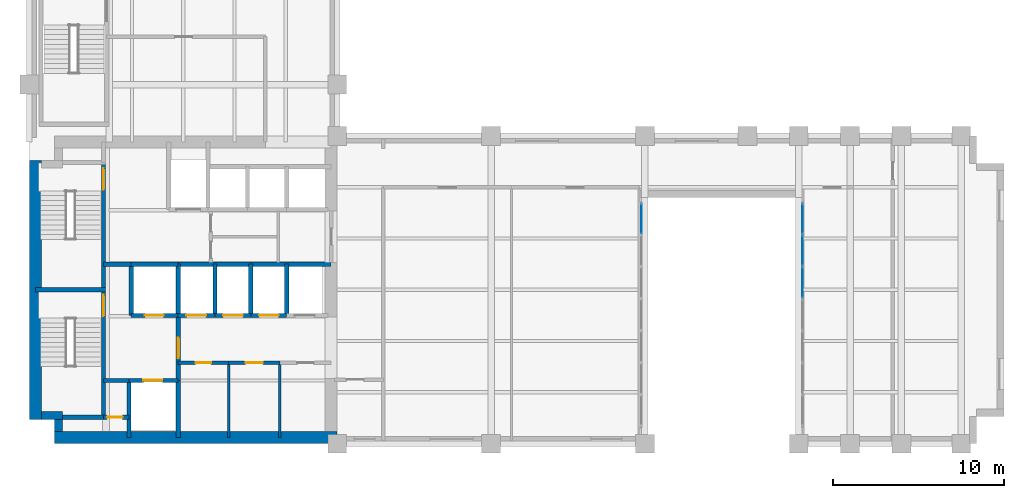
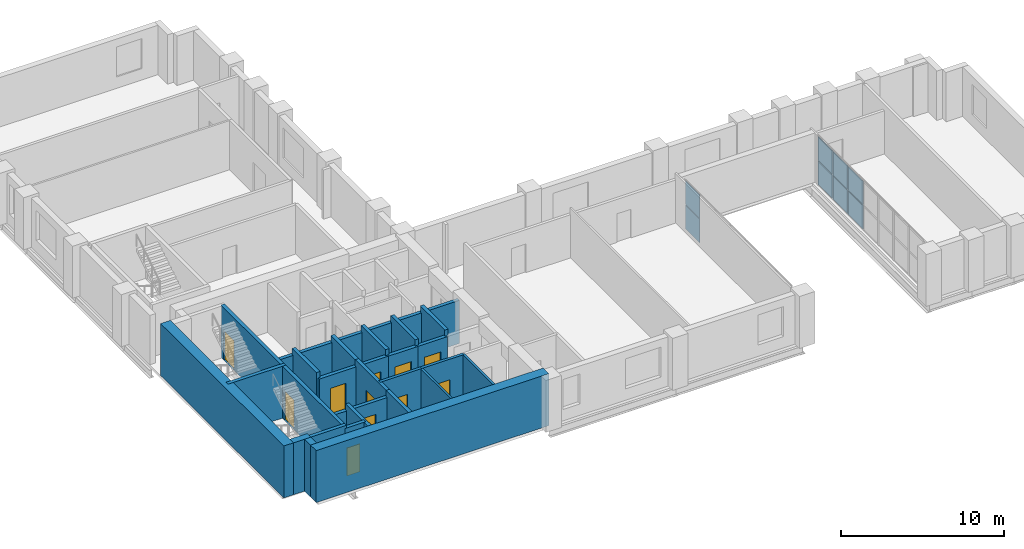
# One storey, part 6 of 10: 30 walls, 11 doors, 8 plates, 11 openings, 2 elements without a shape of their own.
"""IFC4 building model written with IfcOpenShell, lengths in metres."""

from ifc_helpers import new_model, si_unit, direction, frame, frame_2d, origin, origin_2d, place, context, subcontext, project, spatial, rectangle, extrude, material, layer, layer_set, type_object, element, fill, aggregate, save


model = new_model("IFC4")

# Units and contexts
model_context = context("Model", 3, precision=1e-05, world=origin(), true_north=direction((0.0, 1.0)))
body_context = subcontext(model_context, "Body", "Model", "MODEL_VIEW")
ifc_project = project(units=[si_unit("LENGTHUNIT", "METRE"), si_unit("AREAUNIT", "SQUARE_METRE"), si_unit("VOLUMEUNIT", "CUBIC_METRE"), si_unit("PLANEANGLEUNIT", "RADIAN"), si_unit("MASSUNIT", "GRAM", prefix="KILO")], contexts=[model_context])

# Site, building, storey
site_placement = place(None, origin())
site = spatial("IfcSite", under=ifc_project, at=site_placement, CompositionType="ELEMENT")
building_placement = place(site_placement, origin())
building = spatial("IfcBuilding", under=site, at=building_placement, Name="Mawjdan Bourse Tower", CompositionType="ELEMENT")
storey_placement = place(building_placement, frame((0.0, 0.0, 124.5)))
storey = spatial("IfcBuildingStorey", under=building, at=storey_placement, Name="L29", CompositionType="ELEMENT", Elevation=124.5)

# Curtain wall, plates
ifc_material_1 = material(Name="Thermally Broken Aluminium and Solar Glass", Category="aluminium")
ifc_layer_1 = layer(ifc_material_1, 0.219970703125)
ifc_layer_set_1 = layer_set([ifc_layer_1], Name="Thermally Broken Aluminium and Solar Glass")
curtain_wall_type = type_object("IfcCurtainWallType", Name="CW-POR", PredefinedType="USERDEFINED", material=ifc_layer_set_1)
curtain_wall_1_placement = place(storey_placement, origin())
curtain_wall_1 = element("IfcCurtainWall", 1, at=curtain_wall_1_placement, inside=storey, type_object=curtain_wall_type, Name="L29 East Void Portal Glazed Cheek 1", ObjectType="VOID PORTAL CURTAIN WALL", PredefinedType="USERDEFINED")
ifc_material_2 = material(Name="Wind-Rated Portal Clear Glass", Category="glass")
ifc_layer_2 = layer(ifc_material_2, 0.0400390625)
ifc_layer_set_2 = layer_set([ifc_layer_2], Name="Wind-Rated Portal Clear Glass")
plate_type = type_object("IfcPlateType", Name="PNL-CW-POR", PredefinedType="CURTAIN_PANEL", material=ifc_layer_set_2)
plate_1_placement = place(storey_placement, frame((41.7900390625, 16.146728515625, 0.054931640625), z_axis=(0.0, 0.0, 1.0), x_axis=(0.0, 1.0, 0.0)))
plate_1 = element("IfcPlate", 2, at=plate_1_placement, type_object=plate_type, Name="CW-POR-L29-POR-E1 panel 7.1", PredefinedType="CURTAIN_PANEL", context=body_context, shape_type="SweptSolid", body=[
    extrude(rectangle(XDim=1.766357421875, YDim=0.0400390625, at=origin_2d()), origin(), (0.0, 0.0, 1.0), 1.767578125),
])
plate_2_placement = place(storey_placement, frame((41.7900390625, 16.146728515625, 1.87744140625), z_axis=(0.0, 0.0, 1.0), x_axis=(0.0, 1.0, 0.0)))
plate_2 = element("IfcPlate", 3, at=plate_2_placement, type_object=plate_type, Name="CW-POR-L29-POR-E1 panel 7.2", PredefinedType="CURTAIN_PANEL", context=body_context, shape_type="SweptSolid", body=[
    extrude(rectangle(XDim=1.766357421875, YDim=0.0400390625, at=origin_2d()), origin(), (0.0, 0.0, 1.0), 1.767578125),
])
aggregate(curtain_wall_1, [plate_1, plate_2])

curtain_wall_2_placement = place(storey_placement, origin())
curtain_wall_2 = element("IfcCurtainWall", 4, at=curtain_wall_2_placement, inside=storey, type_object=curtain_wall_type, Name="L29 East Void Portal Glazed Cheek 3", ObjectType="VOID PORTAL CURTAIN WALL", PredefinedType="USERDEFINED")
plate_3_placement = place(storey_placement, frame((51.2099609375, 16.146728515625, 0.054931640625), z_axis=(0.0, 0.0, 1.0), x_axis=(0.0, -1.0, 0.0)))
plate_3 = element("IfcPlate", 5, at=plate_3_placement, type_object=plate_type, Name="CW-POR-L29-POR-E3 panel 1.1", PredefinedType="CURTAIN_PANEL", context=body_context, shape_type="SweptSolid", body=[
    extrude(rectangle(XDim=1.766357421875, YDim=0.0400390625, at=origin_2d()), origin(), (0.0, 0.0, 1.0), 1.767578125),
])
plate_4_placement = place(storey_placement, frame((51.2099609375, 16.146728515625, 1.87744140625), z_axis=(0.0, 0.0, 1.0), x_axis=(0.0, -1.0, 0.0)))
plate_4 = element("IfcPlate", 6, at=plate_4_placement, type_object=plate_type, Name="CW-POR-L29-POR-E3 panel 1.2", PredefinedType="CURTAIN_PANEL", context=body_context, shape_type="SweptSolid", body=[
    extrude(rectangle(XDim=1.766357421875, YDim=0.0400390625, at=origin_2d()), origin(), (0.0, 0.0, 1.0), 1.767578125),
])
plate_5_placement = place(storey_placement, frame((51.2099609375, 14.29296875, 0.054931640625), z_axis=(0.0, 0.0, 1.0), x_axis=(0.0, -1.0, 0.0)))
plate_5 = element("IfcPlate", 7, at=plate_5_placement, type_object=plate_type, Name="CW-POR-L29-POR-E3 panel 2.1", PredefinedType="CURTAIN_PANEL", context=body_context, shape_type="SweptSolid", body=[
    extrude(rectangle(XDim=1.801513671875, YDim=0.0400390625, at=origin_2d()), origin(), (0.0, 0.0, 1.0), 1.767578125),
])
plate_6_placement = place(storey_placement, frame((51.2099609375, 14.29296875, 1.87744140625), z_axis=(0.0, 0.0, 1.0), x_axis=(0.0, -1.0, 0.0)))
plate_6 = element("IfcPlate", 8, at=plate_6_placement, type_object=plate_type, Name="CW-POR-L29-POR-E3 panel 2.2", PredefinedType="CURTAIN_PANEL", context=body_context, shape_type="SweptSolid", body=[
    extrude(rectangle(XDim=1.801513671875, YDim=0.0400390625, at=origin_2d()), origin(), (0.0, 0.0, 1.0), 1.767578125),
])
plate_7_placement = place(storey_placement, frame((51.2099609375, 12.42138671875, 0.054931640625), z_axis=(0.0, 0.0, 1.0), x_axis=(0.0, -1.0, 0.0)))
plate_7 = element("IfcPlate", 9, at=plate_7_placement, type_object=plate_type, Name="CW-POR-L29-POR-E3 panel 3.1", PredefinedType="CURTAIN_PANEL", context=body_context, shape_type="SweptSolid", body=[
    extrude(rectangle(XDim=1.801513671875, YDim=0.0400390625, at=origin_2d()), origin(), (0.0, 0.0, 1.0), 1.767578125),
])
plate_8_placement = place(storey_placement, frame((51.2099609375, 12.42138671875, 1.87744140625), z_axis=(0.0, 0.0, 1.0), x_axis=(0.0, -1.0, 0.0)))
plate_8 = element("IfcPlate", 10, at=plate_8_placement, type_object=plate_type, Name="CW-POR-L29-POR-E3 panel 3.2", PredefinedType="CURTAIN_PANEL", context=body_context, shape_type="SweptSolid", body=[
    extrude(rectangle(XDim=1.801513671875, YDim=0.0400390625, at=origin_2d()), origin(), (0.0, 0.0, 1.0), 1.767578125),
])
aggregate(curtain_wall_2, [plate_3, plate_4, plate_5, plate_6, plate_7, plate_8])

# Wall, opening, door
ifc_material_3 = material(Name="Gypsum Fireboard Assembly")
ifc_layer_3 = layer(ifc_material_3, 0.199951171875)
ifc_layer_set_3 = layer_set([ifc_layer_3], Name="Gypsum Fireboard Assembly")
wall_type_1 = type_object("IfcWallType", Name="WL-CMP-200", PredefinedType="PARTITIONING", material=ifc_layer_set_3)
wall_1_placement = place(storey_placement, frame((14.699951171875, 7.739990234375, 0.0), z_axis=(0.0, 0.0, 1.0), x_axis=(1.0, 0.0, 0.0)))
wall_1 = element("IfcWall", 11, at=wall_1_placement, inside=storey, type_object=wall_type_1, Name="L29 IT & Telemetry Room North Wall", PredefinedType="PARTITIONING", context=body_context, shape_type="SweptSolid", body=[
    extrude(rectangle(XDim=2.949951171875, YDim=0.199951171875, at=frame_2d((1.47509765625, 0.0))), origin(), (0.0, 0.0, 1.0), 3.68994140625),
])
opening_1_placement = place(wall_1_placement, frame((1.02490234375, 0.0, 0.0)))
opening_1 = element("IfcOpeningElement", 12, at=opening_1_placement, cuts=wall_1, Name="Opening D-L29-10", PredefinedType="OPENING", context=body_context, shape_type="SweptSolid", body=[
    extrude(rectangle(XDim=0.89990234375, YDim=2.10009765625, at=frame_2d((0.449951171875, 1.050048828125))), frame((0.0, 0.10986328125, 0.0), z_axis=(0.0, -1.0, 0.0), x_axis=(1.0, 0.0, 0.0)), (0.0, 0.0, 1.0), 0.219970703125),
])
ifc_material_4 = material(Name="Fire-Rated Steel Access Leaf", Category="steel")
door_type_1 = type_object("IfcDoorType", Name="FD-RSR-0900", OperationType="NOTDEFINED", PredefinedType="TRAPDOOR", material=ifc_material_4)
door_1_placement = place(opening_1_placement, origin())
door_1 = element("IfcDoor", 13, at=door_1_placement, inside=storey, type_object=door_type_1, Name="L29 IT & Telemetry Room Door D-L29-10", OperationType="SINGLE_SWING_RIGHT", OverallHeight=2.10009765625, OverallWidth=0.89990234375, PredefinedType="TRAPDOOR", context=body_context, shape_type="SweptSolid", body=[
    extrude(rectangle(XDim=0.89990234375, YDim=2.10009765625, at=frame_2d((0.449951171875, 1.050048828125))), frame((0.0, 0.02490234375, 0.0), z_axis=(0.0, -1.0, 0.0), x_axis=(1.0, 0.0, 0.0)), (0.0, 0.0, 1.0), 0.050048828125),
])
fill(opening_1, door_1)

wall_2_placement = place(storey_placement, frame((17.64990234375, 7.739990234375, 0.0), z_axis=(0.0, 0.0, 1.0), x_axis=(1.0, 0.0, 0.0)))
wall_2 = element("IfcWall", 14, at=wall_2_placement, inside=storey, type_object=wall_type_1, Name="L29 Mail & Courier Office North Wall", PredefinedType="PARTITIONING", context=body_context, shape_type="SweptSolid", body=[
    extrude(rectangle(XDim=3.0, YDim=0.199951171875, at=frame_2d((1.5, 0.0))), origin(), (0.0, 0.0, 1.0), 3.68994140625),
])
opening_2_placement = place(wall_2_placement, frame((1.0, 0.0, 0.0)))
opening_2 = element("IfcOpeningElement", 15, at=opening_2_placement, cuts=wall_2, Name="Opening D-L29-11", PredefinedType="OPENING", context=body_context, shape_type="SweptSolid", body=[
    extrude(rectangle(XDim=1.0, YDim=2.14990234375, at=frame_2d((0.5, 1.074951171875))), frame((0.0, 0.10986328125, 0.0), z_axis=(0.0, -1.0, 0.0), x_axis=(1.0, 0.0, 0.0)), (0.0, 0.0, 1.0), 0.219970703125),
])
ifc_material_5 = material(Name="Hardwood Acoustic Leaf", Category="wood")
door_type_2 = type_object("IfcDoorType", Name="DR-OFC-1000", OperationType="NOTDEFINED", PredefinedType="DOOR", material=ifc_material_5)
door_2_placement = place(opening_2_placement, origin())
door_2 = element("IfcDoor", 16, at=door_2_placement, inside=storey, type_object=door_type_2, Name="L29 Mail & Courier Office Door D-L29-11", OperationType="SINGLE_SWING_LEFT", OverallHeight=2.14990234375, OverallWidth=1.0, PredefinedType="DOOR", context=body_context, shape_type="SweptSolid", body=[
    extrude(rectangle(XDim=1.0, YDim=2.14990234375, at=frame_2d((0.5, 1.074951171875))), frame((0.0, 0.02490234375, 0.0), z_axis=(0.0, -1.0, 0.0), x_axis=(1.0, 0.0, 0.0)), (0.0, 0.0, 1.0), 0.050048828125),
])
fill(opening_2, door_2)

# Walls
ifc_material_6 = material(Name="Concrete C60/75", Category="concrete")
ifc_layer_4 = layer(ifc_material_6, 0.449951171875)
ifc_layer_set_4 = layer_set([ifc_layer_4], Name="Concrete C60/75")
wall_type_2 = type_object("IfcWallType", Name="WL-CORE-450", PredefinedType="SHEAR", material=ifc_layer_set_4)
wall_3_placement = place(storey_placement, frame((6.699951171875, 4.64990234375, 0.0), z_axis=(0.0, 0.0, 1.0), x_axis=(1.0, 0.0, 0.0)))
element("IfcWall", 17, at=wall_3_placement, inside=storey, type_object=wall_type_2, Name="L29 Rear Core Shear Wall SW-X", PredefinedType="SHEAR", context=body_context, shape_type="SweptSolid", body=[
    extrude(rectangle(XDim=1.22509765625, YDim=0.449951171875, at=frame_2d((0.612548828125, 0.0))), origin(), (0.0, 0.0, 1.0), 3.89990234375),
])
wall_4_placement = place(storey_placement, frame((7.699951171875, 3.699951171875, 0.0), z_axis=(0.0, 0.0, 1.0), x_axis=(0.0, 1.0, 0.0)))
element("IfcWall", 18, at=wall_4_placement, inside=storey, type_object=wall_type_2, Name="L29 Rear Core Shear Wall SW-Y", PredefinedType="SHEAR", context=body_context, shape_type="SweptSolid", body=[
    extrude(rectangle(XDim=0.72509765625, YDim=0.449951171875, at=frame_2d((0.362548828125, 0.0))), origin(), (0.0, 0.0, 1.0), 3.89990234375),
])
ifc_material_7 = material(Name="Concrete C70/85", Category="concrete")
ifc_layer_5 = layer(ifc_material_7, 0.699951171875)
ifc_layer_set_5 = layer_set([ifc_layer_5], Name="Concrete C70/85")
wall_type_3 = type_object("IfcWallType", Name="WL-CORE-700", PredefinedType="SHEAR", material=ifc_layer_set_5)
wall_5_placement = place(storey_placement, frame((7.47509765625, 3.35009765625, 0.0), z_axis=(0.0, 0.0, 1.0), x_axis=(1.0, 0.0, 0.0)))
element("IfcWall", 19, at=wall_5_placement, inside=storey, type_object=wall_type_3, Name="L29 Rear Core Shear Wall S", PredefinedType="SHEAR", context=body_context, shape_type="SweptSolid", body=[
    extrude(rectangle(XDim=16.52490234375, YDim=0.699951171875, at=frame_2d((8.262451171875, 0.0))), origin(), (0.0, 0.0, 1.0), 3.89990234375),
])
wall_6_placement = place(storey_placement, frame((6.35009765625, 4.425048828125, 0.0), z_axis=(0.0, 0.0, 1.0), x_axis=(0.0, 1.0, 0.0)))
element("IfcWall", 20, at=wall_6_placement, inside=storey, type_object=wall_type_3, Name="L29 Rear Core Shear Wall W", PredefinedType="SHEAR", context=body_context, shape_type="SweptSolid", body=[
    extrude(rectangle(XDim=15.14990234375, YDim=0.699951171875, at=frame_2d((7.574951171875, 0.0))), origin(), (0.0, 0.0, 1.0), 3.89990234375),
])
ifc_material_8 = material(Name="Gypsum Acoustic Partition")
ifc_layer_6 = layer(ifc_material_8, 0.14990234375)
ifc_layer_set_6 = layer_set([ifc_layer_6], Name="Gypsum Acoustic Partition")
wall_type_4 = type_object("IfcWallType", Name="WL-PRT-150", PredefinedType="PARTITIONING", material=ifc_layer_set_6)
for number, where, z_axis, x_axis, name in (
    (21, (17.64990234375, 3.35009765625, 0.0), (0.0, 0.0, 1.0), (0.0, 1.0, 0.0), "L29 Mail & Courier Office Core Split Wall"),
    (22, (20.64990234375, 3.35009765625, 0.0), (0.0, 0.0, 1.0), (0.0, 1.0, 0.0), "L29 Staff Refreshment Pantry Core Split Wall"),
):
    element("IfcWall", number, at=place(storey_placement, frame(where, z_axis=z_axis, x_axis=x_axis)), inside=storey, type_object=wall_type_4, Name=name, PredefinedType="PARTITIONING", context=body_context, shape_type="SweptSolid", body=[
        extrude(rectangle(XDim=4.389892578125, YDim=0.14990234375, at=frame_2d((2.19482421875, 0.0))), origin(), (0.0, 0.0, 1.0), 3.68994140625),
    ])

# Wall, opening, door
ifc_material_9 = material(Name="Concrete C50/60", Category="concrete")
ifc_layer_7 = layer(ifc_material_9, 0.25)
ifc_layer_set_7 = layer_set([ifc_layer_7], Name="Concrete C50/60")
wall_type_5 = type_object("IfcWallType", Name="WL-SHFT-250", PredefinedType="PARTITIONING", material=ifc_layer_set_7)
wall_7_placement = place(storey_placement, frame((10.330078125, 4.550048828125, 0.0), z_axis=(0.0, 0.0, 1.0), x_axis=(1.0, 0.0, 0.0)))
wall_7 = element("IfcWall", 23, at=wall_7_placement, inside=storey, type_object=wall_type_5, Name="L29 SW Riser North Wall", PredefinedType="PARTITIONING", context=body_context, shape_type="SweptSolid", body=[
    extrude(rectangle(XDim=1.489990234375, YDim=0.25, at=frame_2d((0.7451171875, 0.0))), origin(), (0.0, 0.0, 1.0), 3.68994140625),
])
opening_3_placement = place(wall_7_placement, frame((0.219970703125, 0.0, 0.0)))
opening_3 = element("IfcOpeningElement", 24, at=opening_3_placement, cuts=wall_7, Name="Opening RD-L29-03", PredefinedType="OPENING", context=body_context, shape_type="SweptSolid", body=[
    extrude(rectangle(XDim=0.89990234375, YDim=2.10009765625, at=frame_2d((0.449951171875, 1.050048828125))), frame((0.0, 0.135009765625, 0.0), z_axis=(0.0, -1.0, 0.0), x_axis=(1.0, 0.0, 0.0)), (0.0, 0.0, 1.0), 0.27001953125),
])
door_3_placement = place(opening_3_placement, origin())
door_3 = element("IfcDoor", 25, at=door_3_placement, inside=storey, type_object=door_type_1, Name="L29 Electrical Riser Access Door RD-L29-03", OperationType="SINGLE_SWING_RIGHT", OverallHeight=2.10009765625, OverallWidth=0.89990234375, PredefinedType="TRAPDOOR", context=body_context, shape_type="SweptSolid", body=[
    extrude(rectangle(XDim=0.89990234375, YDim=2.10009765625, at=frame_2d((0.449951171875, 1.050048828125))), frame((0.0, 0.02490234375, 0.0), z_axis=(0.0, -1.0, 0.0), x_axis=(1.0, 0.0, 0.0)), (0.0, 0.0, 1.0), 0.050048828125),
])
fill(opening_3, door_3)

# Wall
wall_8_placement = place(storey_placement, frame((11.820068359375, 3.35009765625, 0.0), z_axis=(0.0, 0.0, 1.0), x_axis=(0.0, 1.0, 0.0)))
element("IfcWall", 26, at=wall_8_placement, inside=storey, type_object=wall_type_5, Name="L29 SW Riser & FFL01 West Wall", PredefinedType="PARTITIONING", context=body_context, shape_type="SweptSolid", body=[
    extrude(rectangle(XDim=3.349853515625, YDim=0.25, at=frame_2d((1.6748046875, 0.0))), origin(), (0.0, 0.0, 1.0), 3.68994140625),
])

# Wall, opening, door
wall_9_placement = place(storey_placement, frame((11.820068359375, 6.699951171875, 0.0), z_axis=(0.0, 0.0, 1.0), x_axis=(1.0, 0.0, 0.0)))
wall_9 = element("IfcWall", 27, at=wall_9_placement, inside=storey, type_object=wall_type_5, Name="L29 FFL-01 Front Shaft Wall", PredefinedType="PARTITIONING", context=body_context, shape_type="SweptSolid", body=[
    extrude(rectangle(XDim=2.8798828125, YDim=0.25, at=frame_2d((1.43994140625, 0.0))), origin(), (0.0, 0.0, 1.0), 3.23291015625),
])
opening_4_placement = place(wall_9_placement, frame((0.85009765625, 0.0, 0.0)))
opening_4 = element("IfcOpeningElement", 28, at=opening_4_placement, cuts=wall_9, Name="Opening LD-L29-05", PredefinedType="OPENING", context=body_context, shape_type="SweptSolid", body=[
    extrude(rectangle(XDim=1.10009765625, YDim=2.25, at=frame_2d((0.550048828125, 1.125))), frame((0.0, 0.135009765625, 0.0), z_axis=(0.0, -1.0, 0.0), x_axis=(1.0, 0.0, 0.0)), (0.0, 0.0, 1.0), 0.27001953125),
])
ifc_material_10 = material(Name="Brushed Stainless Steel", Category="steel")
door_type_3 = type_object("IfcDoorType", Name="LD-FFL-1100", OperationType="DOUBLE_DOOR_SLIDING", PredefinedType="DOOR", material=ifc_material_10)
door_4_placement = place(opening_4_placement, origin())
door_4 = element("IfcDoor", 29, at=door_4_placement, inside=storey, type_object=door_type_3, Name="L29 Firefighting Lift FFL-01 Landing Door LD-L29-05", OperationType="DOUBLE_DOOR_SLIDING", OverallHeight=2.25, OverallWidth=1.10009765625, PredefinedType="DOOR", context=body_context, shape_type="SweptSolid", body=[
    extrude(rectangle(XDim=1.10009765625, YDim=2.25, at=frame_2d((0.550048828125, 1.125))), frame((0.0, 0.02490234375, 0.0), z_axis=(0.0, -1.0, 0.0), x_axis=(1.0, 0.0, 0.0)), (0.0, 0.0, 1.0), 0.050048828125),
])
fill(opening_4, door_4)

# Wall
wall_10_placement = place(storey_placement, frame((14.699951171875, 3.35009765625, 0.0), z_axis=(0.0, 0.0, 1.0), x_axis=(0.0, 1.0, 0.0)))
element("IfcWall", 30, at=wall_10_placement, inside=storey, type_object=wall_type_5, Name="L29 FFL-01 East Shaft Wall", PredefinedType="PARTITIONING", context=body_context, shape_type="SweptSolid", body=[
    extrude(rectangle(XDim=3.349853515625, YDim=0.25, at=frame_2d((1.6748046875, 0.0))), origin(), (0.0, 0.0, 1.0), 3.68994140625),
])

# Wall, opening, door
wall_11_placement = place(storey_placement, frame((11.949951171875, 10.5, 0.0), z_axis=(0.0, 0.0, 1.0), x_axis=(1.0, 0.0, 0.0)))
wall_11 = element("IfcWall", 31, at=wall_11_placement, inside=storey, type_object=wall_type_5, Name="L29 FFL-02 Front Shaft Wall", PredefinedType="PARTITIONING", context=body_context, shape_type="SweptSolid", body=[
    extrude(rectangle(XDim=2.75, YDim=0.25, at=frame_2d((1.375, 0.0))), origin(), (0.0, 0.0, 1.0), 3.23291015625),
])
opening_5_placement = place(wall_11_placement, frame((0.800048828125, 0.0, 0.0)))
opening_5 = element("IfcOpeningElement", 32, at=opening_5_placement, cuts=wall_11, Name="Opening LD-L29-06", PredefinedType="OPENING", context=body_context, shape_type="SweptSolid", body=[
    extrude(rectangle(XDim=1.10009765625, YDim=2.25, at=frame_2d((0.550048828125, 1.125))), frame((0.0, 0.135009765625, 0.0), z_axis=(0.0, -1.0, 0.0), x_axis=(1.0, 0.0, 0.0)), (0.0, 0.0, 1.0), 0.27001953125),
])
door_5_placement = place(opening_5_placement, origin())
door_5 = element("IfcDoor", 33, at=door_5_placement, inside=storey, type_object=door_type_3, Name="L29 Firefighting Lift FFL-02 Landing Door LD-L29-06", OperationType="DOUBLE_DOOR_SLIDING", OverallHeight=2.25, OverallWidth=1.10009765625, PredefinedType="DOOR", context=body_context, shape_type="SweptSolid", body=[
    extrude(rectangle(XDim=1.10009765625, YDim=2.25, at=frame_2d((0.550048828125, 1.125))), frame((0.0, 0.02490234375, 0.0), z_axis=(0.0, -1.0, 0.0), x_axis=(1.0, 0.0, 0.0)), (0.0, 0.0, 1.0), 0.050048828125),
])
fill(opening_5, door_5)

# Walls
wall_12_placement = place(storey_placement, frame((11.949951171875, 10.5, 0.0), z_axis=(0.0, 0.0, 1.0), x_axis=(0.0, 1.0, 0.0)))
element("IfcWall", 34, at=wall_12_placement, inside=storey, type_object=wall_type_5, Name="L29 FFL-02 West Shaft Wall", PredefinedType="PARTITIONING", context=body_context, shape_type="SweptSolid", body=[
    extrude(rectangle(XDim=3.0, YDim=0.25, at=frame_2d((1.5, 0.0))), origin(), (0.0, 0.0, 1.0), 3.68994140625),
])
wall_13_placement = place(storey_placement, frame((11.949951171875, 13.5, 0.0), z_axis=(0.0, 0.0, 1.0), x_axis=(1.0, 0.0, 0.0)))
element("IfcWall", 35, at=wall_13_placement, inside=storey, type_object=wall_type_5, Name="L29 FFL-02 North Shaft Wall", PredefinedType="PARTITIONING", context=body_context, shape_type="SweptSolid", body=[
    extrude(rectangle(XDim=2.75, YDim=0.25, at=frame_2d((1.375, 0.0))), origin(), (0.0, 0.0, 1.0), 3.23291015625),
])
wall_14_placement = place(storey_placement, frame((14.699951171875, 10.5, 0.0), z_axis=(0.0, 0.0, 1.0), x_axis=(0.0, 1.0, 0.0)))
element("IfcWall", 36, at=wall_14_placement, inside=storey, type_object=wall_type_5, Name="L29 FFL-02 East Shaft Wall", PredefinedType="PARTITIONING", context=body_context, shape_type="SweptSolid", body=[
    extrude(rectangle(XDim=3.0, YDim=0.25, at=frame_2d((1.5, 0.0))), origin(), (0.0, 0.0, 1.0), 3.68994140625),
])

# Wall, opening, door
wall_15_placement = place(storey_placement, frame((14.699951171875, 6.699951171875, 0.0), z_axis=(0.0, 0.0, 1.0), x_axis=(0.0, 1.0, 0.0)))
wall_15 = element("IfcWall", 37, at=wall_15_placement, inside=storey, type_object=wall_type_5, Name="L29 Firefighting Lobby East Compartment Wall", PredefinedType="PARTITIONING", context=body_context, shape_type="SweptSolid", body=[
    extrude(rectangle(XDim=3.800048828125, YDim=0.25, at=frame_2d((1.89990234375, 0.0))), origin(), (0.0, 0.0, 1.0), 3.68994140625),
])
opening_6_placement = place(wall_15_placement, frame((1.300048828125, 0.0, 0.0)))
opening_6 = element("IfcOpeningElement", 38, at=opening_6_placement, cuts=wall_15, Name="Opening FD-L29-07", PredefinedType="OPENING", context=body_context, shape_type="SweptSolid", body=[
    extrude(rectangle(XDim=1.199951171875, YDim=2.199951171875, at=frame_2d((0.60009765625, 1.10009765625))), frame((0.0, 0.135009765625, 0.0), z_axis=(0.0, -1.0, 0.0), x_axis=(1.0, 0.0, 0.0)), (0.0, 0.0, 1.0), 0.27001953125),
])
ifc_material_11 = material(Name="Fire-Rated Steel Leaf", Category="steel")
door_type_4 = type_object("IfcDoorType", Name="FD-FFL-1200", OperationType="NOTDEFINED", PredefinedType="DOOR", material=ifc_material_11)
door_6_placement = place(opening_6_placement, origin())
door_6 = element("IfcDoor", 39, at=door_6_placement, inside=storey, type_object=door_type_4, Name="L29 Firefighting Lobby East Smoke Door FD-L29-07", OperationType="SINGLE_SWING_RIGHT", OverallHeight=2.199951171875, OverallWidth=1.199951171875, PredefinedType="DOOR", context=body_context, shape_type="SweptSolid", body=[
    extrude(rectangle(XDim=1.199951171875, YDim=2.199951171875, at=frame_2d((0.60009765625, 1.10009765625))), frame((0.0, 0.02490234375, 0.0), z_axis=(0.0, -1.0, 0.0), x_axis=(1.0, 0.0, 0.0)), (0.0, 0.0, 1.0), 0.050048828125),
])
fill(opening_6, door_6)

# Walls
wall_16_placement = place(storey_placement, frame((10.330078125, 13.5, 0.0), z_axis=(0.0, 0.0, 1.0), x_axis=(1.0, 0.0, 0.0)))
element("IfcWall", 40, at=wall_16_placement, inside=storey, type_object=wall_type_5, Name="L29 Firefighting Lobby North Compartment Wall", PredefinedType="PARTITIONING", context=body_context, shape_type="SweptSolid", body=[
    extrude(rectangle(XDim=1.619873046875, YDim=0.25, at=frame_2d((0.81005859375, 0.0))), origin(), (0.0, 0.0, 1.0), 3.23291015625),
])
wall_17_placement = place(storey_placement, frame((10.330078125, 6.699951171875, 0.0), z_axis=(0.0, 0.0, 1.0), x_axis=(1.0, 0.0, 0.0)))
element("IfcWall", 41, at=wall_17_placement, inside=storey, type_object=wall_type_5, Name="L29 Firefighting Lobby South Closure Wall", PredefinedType="PARTITIONING", context=body_context, shape_type="SweptSolid", body=[
    extrude(rectangle(XDim=1.489990234375, YDim=0.25, at=frame_2d((0.7451171875, 0.0))), origin(), (0.0, 0.0, 1.0), 3.23291015625),
])

# Wall, opening, door
wall_18_placement = place(storey_placement, frame((14.699951171875, 10.5, 0.0), z_axis=(0.0, 0.0, 1.0), x_axis=(1.0, 0.0, 0.0)))
wall_18 = element("IfcWall", 42, at=wall_18_placement, inside=storey, type_object=wall_type_5, Name="L29 PM-01 Front Wall", PredefinedType="PARTITIONING", context=body_context, shape_type="SweptSolid", body=[
    extrude(rectangle(XDim=2.150146484375, YDim=0.25, at=frame_2d((1.0751953125, 0.0))), origin(), (0.0, 0.0, 1.0), 3.23291015625),
])
opening_7_placement = place(wall_18_placement, frame((0.47998046875, 0.0, 0.0)))
opening_7 = element("IfcOpeningElement", 43, at=opening_7_placement, cuts=wall_18, Name="Opening LD-L29-13", PredefinedType="OPENING", context=body_context, shape_type="SweptSolid", body=[
    extrude(rectangle(XDim=1.14990234375, YDim=2.25, at=frame_2d((0.574951171875, 1.125))), frame((0.0, 0.135009765625, 0.0), z_axis=(0.0, -1.0, 0.0), x_axis=(1.0, 0.0, 0.0)), (0.0, 0.0, 1.0), 0.27001953125),
])
door_type_5 = type_object("IfcDoorType", Name="LD-PAS-1150", OperationType="DOUBLE_DOOR_SLIDING", PredefinedType="DOOR", material=ifc_material_10)
door_7_placement = place(opening_7_placement, origin())
door_7 = element("IfcDoor", 44, at=door_7_placement, inside=storey, type_object=door_type_5, Name="L29 Lift PM-01 Landing Door LD-L29-13", OperationType="DOUBLE_DOOR_SLIDING", OverallHeight=2.25, OverallWidth=1.14990234375, PredefinedType="DOOR", context=body_context, shape_type="SweptSolid", body=[
    extrude(rectangle(XDim=1.14990234375, YDim=2.25, at=frame_2d((0.574951171875, 1.125))), frame((0.0, 0.02490234375, 0.0), z_axis=(0.0, -1.0, 0.0), x_axis=(1.0, 0.0, 0.0)), (0.0, 0.0, 1.0), 0.050048828125),
])
fill(opening_7, door_7)

# Wall
wall_19_placement = place(storey_placement, frame((16.85009765625, 10.5, 0.0), z_axis=(0.0, 0.0, 1.0), x_axis=(0.0, 1.0, 0.0)))
element("IfcWall", 45, at=wall_19_placement, inside=storey, type_object=wall_type_5, Name="L29 PM-01 Divider Wall", PredefinedType="PARTITIONING", context=body_context, shape_type="SweptSolid", body=[
    extrude(rectangle(XDim=3.0, YDim=0.25, at=frame_2d((1.5, 0.0))), origin(), (0.0, 0.0, 1.0), 3.68994140625),
])

# Wall, opening, door
wall_20_placement = place(storey_placement, frame((16.85009765625, 10.5, 0.0), z_axis=(0.0, 0.0, 1.0), x_axis=(1.0, 0.0, 0.0)))
wall_20 = element("IfcWall", 46, at=wall_20_placement, inside=storey, type_object=wall_type_5, Name="L29 PM-02 Front Wall", PredefinedType="PARTITIONING", context=body_context, shape_type="SweptSolid", body=[
    extrude(rectangle(XDim=2.099853515625, YDim=0.25, at=frame_2d((1.0498046875, 0.0))), origin(), (0.0, 0.0, 1.0), 3.23291015625),
])
opening_8_placement = place(wall_20_placement, frame((0.47998046875, 0.0, 0.0)))
opening_8 = element("IfcOpeningElement", 47, at=opening_8_placement, cuts=wall_20, Name="Opening LD-L29-14", PredefinedType="OPENING", context=body_context, shape_type="SweptSolid", body=[
    extrude(rectangle(XDim=1.14990234375, YDim=2.25, at=frame_2d((0.574951171875, 1.125))), frame((0.0, 0.135009765625, 0.0), z_axis=(0.0, -1.0, 0.0), x_axis=(1.0, 0.0, 0.0)), (0.0, 0.0, 1.0), 0.27001953125),
])
door_8_placement = place(opening_8_placement, origin())
door_8 = element("IfcDoor", 48, at=door_8_placement, inside=storey, type_object=door_type_5, Name="L29 Lift PM-02 Landing Door LD-L29-14", OperationType="DOUBLE_DOOR_SLIDING", OverallHeight=2.25, OverallWidth=1.14990234375, PredefinedType="DOOR", context=body_context, shape_type="SweptSolid", body=[
    extrude(rectangle(XDim=1.14990234375, YDim=2.25, at=frame_2d((0.574951171875, 1.125))), frame((0.0, 0.02490234375, 0.0), z_axis=(0.0, -1.0, 0.0), x_axis=(1.0, 0.0, 0.0)), (0.0, 0.0, 1.0), 0.050048828125),
])
fill(opening_8, door_8)

# Wall
wall_21_placement = place(storey_placement, frame((18.949951171875, 10.5, 0.0), z_axis=(0.0, 0.0, 1.0), x_axis=(0.0, 1.0, 0.0)))
element("IfcWall", 49, at=wall_21_placement, inside=storey, type_object=wall_type_5, Name="L29 PM-02 Divider Wall", PredefinedType="PARTITIONING", context=body_context, shape_type="SweptSolid", body=[
    extrude(rectangle(XDim=3.0, YDim=0.25, at=frame_2d((1.5, 0.0))), origin(), (0.0, 0.0, 1.0), 3.68994140625),
])

# Wall, opening, door
wall_22_placement = place(storey_placement, frame((18.949951171875, 10.5, 0.0), z_axis=(0.0, 0.0, 1.0), x_axis=(1.0, 0.0, 0.0)))
wall_22 = element("IfcWall", 50, at=wall_22_placement, inside=storey, type_object=wall_type_5, Name="L29 PM-03 Front Wall", PredefinedType="PARTITIONING", context=body_context, shape_type="SweptSolid", body=[
    extrude(rectangle(XDim=2.10009765625, YDim=0.25, at=frame_2d((1.050048828125, 0.0))), origin(), (0.0, 0.0, 1.0), 3.23291015625),
])
opening_9_placement = place(wall_22_placement, frame((0.47998046875, 0.0, 0.0)))
opening_9 = element("IfcOpeningElement", 51, at=opening_9_placement, cuts=wall_22, Name="Opening LD-L29-15", PredefinedType="OPENING", context=body_context, shape_type="SweptSolid", body=[
    extrude(rectangle(XDim=1.14990234375, YDim=2.25, at=frame_2d((0.574951171875, 1.125))), frame((0.0, 0.135009765625, 0.0), z_axis=(0.0, -1.0, 0.0), x_axis=(1.0, 0.0, 0.0)), (0.0, 0.0, 1.0), 0.27001953125),
])
door_9_placement = place(opening_9_placement, origin())
door_9 = element("IfcDoor", 52, at=door_9_placement, inside=storey, type_object=door_type_5, Name="L29 Lift PM-03 Landing Door LD-L29-15", OperationType="DOUBLE_DOOR_SLIDING", OverallHeight=2.25, OverallWidth=1.14990234375, PredefinedType="DOOR", context=body_context, shape_type="SweptSolid", body=[
    extrude(rectangle(XDim=1.14990234375, YDim=2.25, at=frame_2d((0.574951171875, 1.125))), frame((0.0, 0.02490234375, 0.0), z_axis=(0.0, -1.0, 0.0), x_axis=(1.0, 0.0, 0.0)), (0.0, 0.0, 1.0), 0.050048828125),
])
fill(opening_9, door_9)

# Walls
wall_23_placement = place(storey_placement, frame((21.050048828125, 10.5, 0.0), z_axis=(0.0, 0.0, 1.0), x_axis=(0.0, 1.0, 0.0)))
element("IfcWall", 53, at=wall_23_placement, inside=storey, type_object=wall_type_5, Name="L29 PM-03 Divider Wall", PredefinedType="PARTITIONING", context=body_context, shape_type="SweptSolid", body=[
    extrude(rectangle(XDim=3.0, YDim=0.25, at=frame_2d((1.5, 0.0))), origin(), (0.0, 0.0, 1.0), 3.68994140625),
])
wall_24_placement = place(storey_placement, frame((14.699951171875, 13.5, 0.0), z_axis=(0.0, 0.0, 1.0), x_axis=(1.0, 0.0, 0.0)))
element("IfcWall", 54, at=wall_24_placement, inside=storey, type_object=wall_type_5, Name="L29 PM Bank North Shaft Back Wall", PredefinedType="PARTITIONING", context=body_context, shape_type="SweptSolid", body=[
    extrude(rectangle(XDim=8.949951171875, YDim=0.25, at=frame_2d((4.47509765625, 0.0))), origin(), (0.0, 0.0, 1.0), 3.23291015625),
])
ifc_layer_8 = layer(ifc_material_9, 0.25)
ifc_layer_set_8 = layer_set([ifc_layer_8], Name="Concrete C50/60")
wall_type_6 = type_object("IfcWallType", Name="WL-STRW-250", PredefinedType="SHEAR", material=ifc_layer_set_8)
wall_25_placement = place(storey_placement, frame((6.35009765625, 12.0, 0.0), z_axis=(0.0, 0.0, 1.0), x_axis=(1.0, 0.0, 0.0)))
element("IfcWall", 55, at=wall_25_placement, inside=storey, type_object=wall_type_6, Name="L29 Stairwell Dividing Shaft Wall", PredefinedType="SHEAR", context=body_context, shape_type="SweptSolid", body=[
    extrude(rectangle(XDim=4.10498046875, YDim=0.25, at=frame_2d((2.052490234375, 0.0))), origin(), (0.0, 0.0, 1.0), 3.89990234375),
])
wall_26_placement = place(storey_placement, frame((7.699951171875, 4.550048828125, 0.0), z_axis=(0.0, 0.0, 1.0), x_axis=(1.0, 0.0, 0.0)))
element("IfcWall", 56, at=wall_26_placement, inside=storey, type_object=wall_type_6, Name="L29 Stairwell ST1 South Shaft Wall", PredefinedType="SHEAR", context=body_context, shape_type="SweptSolid", body=[
    extrude(rectangle(XDim=2.755126953125, YDim=0.25, at=frame_2d((1.37744140625, 0.0))), origin(), (0.0, 0.0, 1.0), 3.89990234375),
])

# Wall, opening, door
wall_27_placement = place(storey_placement, frame((10.330078125, 4.550048828125, 0.0), z_axis=(0.0, 0.0, 1.0), x_axis=(0.0, 1.0, 0.0)))
wall_27 = element("IfcWall", 57, at=wall_27_placement, inside=storey, type_object=wall_type_6, Name="L29 Stairwell ST1 East Enclosure Wall", PredefinedType="SHEAR", context=body_context, shape_type="SweptSolid", body=[
    extrude(rectangle(XDim=7.449951171875, YDim=0.25, at=frame_2d((3.72509765625, 0.0))), origin(), (0.0, 0.0, 1.0), 3.89990234375),
])
opening_10_placement = place(wall_27_placement, frame((5.89990234375, 0.0, 0.0)))
opening_10 = element("IfcOpeningElement", 58, at=opening_10_placement, cuts=wall_27, Name="Opening SD-L29-01", PredefinedType="OPENING", context=body_context, shape_type="SweptSolid", body=[
    extrude(rectangle(XDim=1.25, YDim=2.199951171875, at=frame_2d((0.625, 1.10009765625))), frame((0.0, 0.135009765625, 0.0), z_axis=(0.0, -1.0, 0.0), x_axis=(1.0, 0.0, 0.0)), (0.0, 0.0, 1.0), 0.27001953125),
])
door_type_6 = type_object("IfcDoorType", Name="FD-ST-1250", OperationType="NOTDEFINED", PredefinedType="DOOR", material=ifc_material_11)
door_10_placement = place(opening_10_placement, origin())
door_10 = element("IfcDoor", 59, at=door_10_placement, inside=storey, type_object=door_type_6, Name="L29 Exit Stair ST1 Fire Door SD-L29-01", OperationType="SINGLE_SWING_RIGHT", OverallHeight=2.199951171875, OverallWidth=1.25, PredefinedType="DOOR", context=body_context, shape_type="SweptSolid", body=[
    extrude(rectangle(XDim=1.25, YDim=2.199951171875, at=frame_2d((0.625, 1.10009765625))), frame((0.0, 0.02490234375, 0.0), z_axis=(0.0, -1.0, 0.0), x_axis=(1.0, 0.0, 0.0)), (0.0, 0.0, 1.0), 0.050048828125),
])
fill(opening_10, door_10)

wall_28_placement = place(storey_placement, frame((10.330078125, 12.0, 0.0), z_axis=(0.0, 0.0, 1.0), x_axis=(0.0, 1.0, 0.0)))
wall_28 = element("IfcWall", 60, at=wall_28_placement, inside=storey, type_object=wall_type_6, Name="L29 Stairwell ST2 East Enclosure Wall", PredefinedType="SHEAR", context=body_context, shape_type="SweptSolid", body=[
    extrude(rectangle(XDim=7.449951171875, YDim=0.25, at=frame_2d((3.72509765625, 0.0))), origin(), (0.0, 0.0, 1.0), 3.89990234375),
])
opening_11_placement = place(wall_28_placement, frame((5.85009765625, 0.0, 0.0)))
opening_11 = element("IfcOpeningElement", 61, at=opening_11_placement, cuts=wall_28, Name="Opening SD-L29-02", PredefinedType="OPENING", context=body_context, shape_type="SweptSolid", body=[
    extrude(rectangle(XDim=1.25, YDim=2.199951171875, at=frame_2d((0.625, 1.10009765625))), frame((0.0, 0.135009765625, 0.0), z_axis=(0.0, -1.0, 0.0), x_axis=(1.0, 0.0, 0.0)), (0.0, 0.0, 1.0), 0.27001953125),
])
door_11_placement = place(opening_11_placement, origin())
door_11 = element("IfcDoor", 62, at=door_11_placement, inside=storey, type_object=door_type_6, Name="L29 Exit Stair ST2 Fire Door SD-L29-02", OperationType="SINGLE_SWING_LEFT", OverallHeight=2.199951171875, OverallWidth=1.25, PredefinedType="DOOR", context=body_context, shape_type="SweptSolid", body=[
    extrude(rectangle(XDim=1.25, YDim=2.199951171875, at=frame_2d((0.625, 1.10009765625))), frame((0.0, 0.02490234375, 0.0), z_axis=(0.0, -1.0, 0.0), x_axis=(1.0, 0.0, 0.0)), (0.0, 0.0, 1.0), 0.050048828125),
])
fill(opening_11, door_11)

save(model, "model.ifc")
